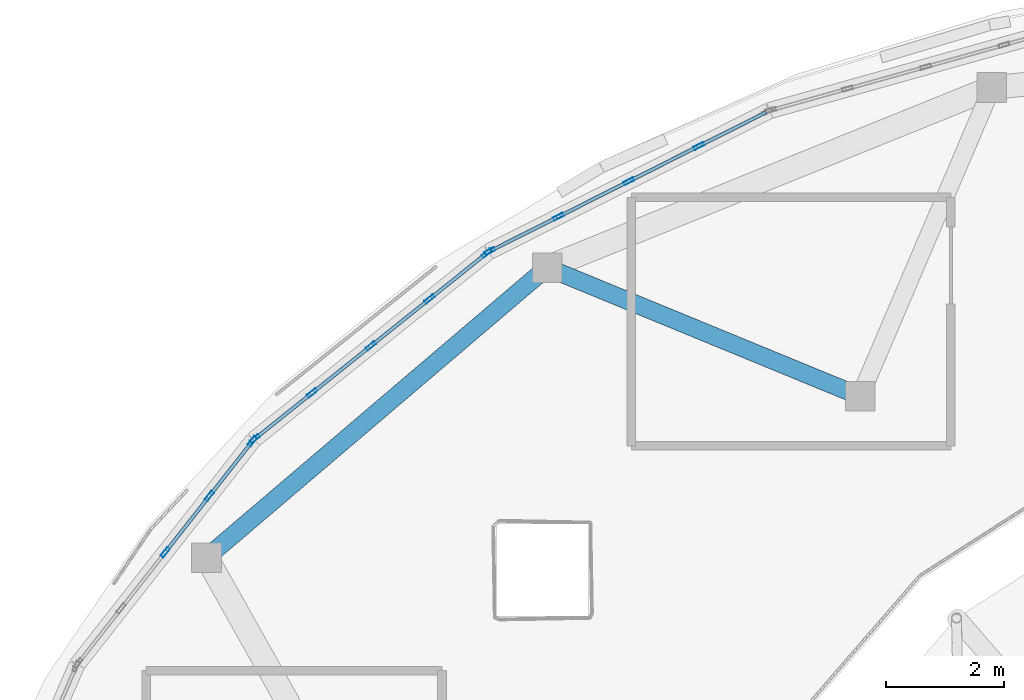
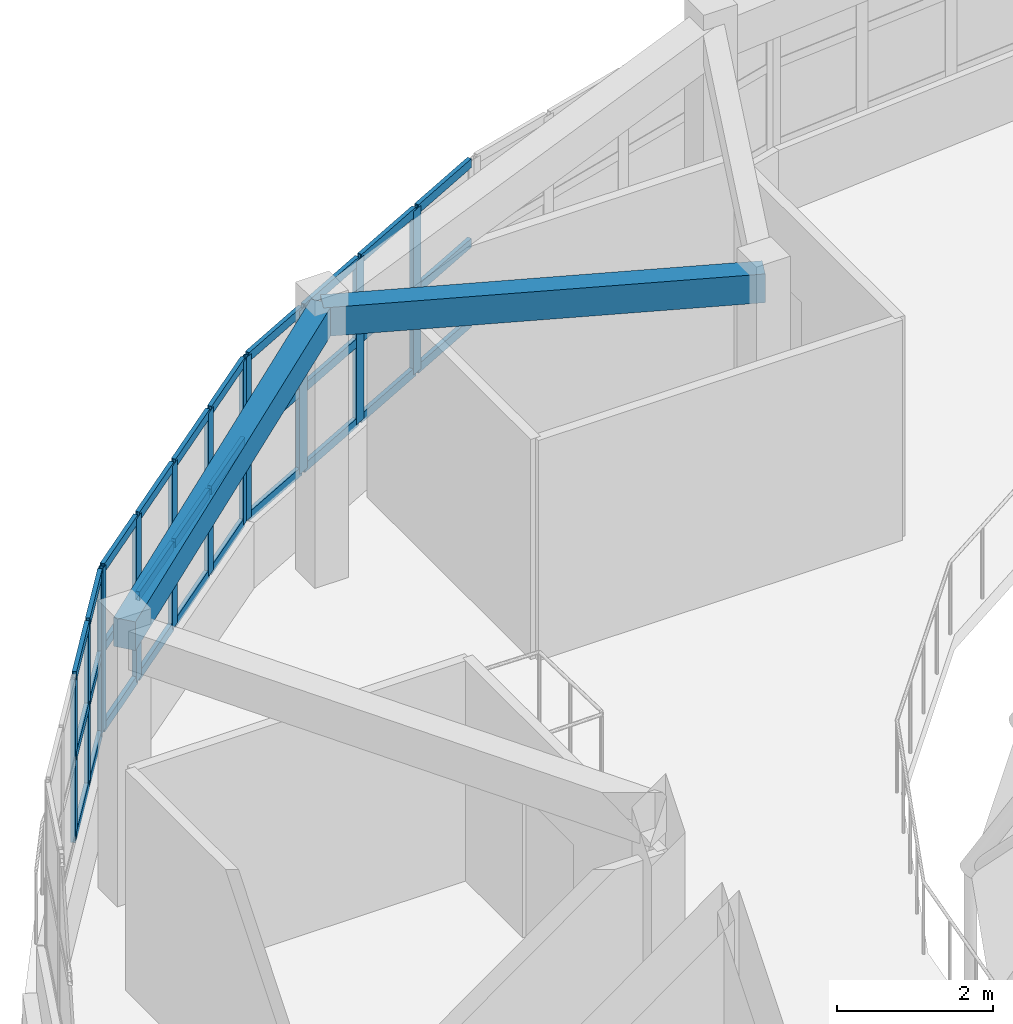
# One storey, part 21 of 38: 42 members, 2 beams, 3 elements without a shape of their own.
"""IFC4 building model written with IfcOpenShell, lengths in metres."""

from ifc_helpers import new_model, si_unit, direction, frame, origin, origin_2d, place, context, subcontext, project, spatial, rectangle, hollow_rectangle, extrude, material, layer, layer_set, material_profile, profile_set, type_object, element, aggregate, save


model = new_model("IFC4")

# Units and contexts
model_context = context("Model", 3, precision=1e-05, world=origin(), true_north=direction((0.0, 1.0)))
body_context = subcontext(model_context, "Body", "Model", "MODEL_VIEW")
ifc_project = project(units=[si_unit("LENGTHUNIT", "METRE"), si_unit("AREAUNIT", "SQUARE_METRE"), si_unit("VOLUMEUNIT", "CUBIC_METRE"), si_unit("PLANEANGLEUNIT", "RADIAN"), si_unit("MASSUNIT", "GRAM", prefix="KILO")], contexts=[model_context])

# Site, building, storey
site_placement = place(None, origin())
site = spatial("IfcSite", under=ifc_project, at=site_placement, CompositionType="ELEMENT")
building_placement = place(site_placement, origin())
building = spatial("IfcBuilding", under=site, at=building_placement, Name="Pelvatis Terrace Science Centre", CompositionType="ELEMENT")
storey_placement = place(building_placement, frame((0.0, 0.0, 24.300048828125)))
storey = spatial("IfcBuildingStorey", under=building, at=storey_placement, Name="L05", CompositionType="ELEMENT", Elevation=24.300048828125)

# Beams
ifc_material_1 = material(Name="Concrete C35/45", Category="concrete")
ifc_material_profile_1 = material_profile(ifc_material_1, rectangle(XDim=0.300048828125, YDim=0.449951171875, at=origin_2d()), Name="RC-BM 300x450")
ifc_profile_set_1 = profile_set([ifc_material_profile_1], Name="Concrete C35/45")
beam_type = type_object("IfcBeamType", Name="BM-RC-300x450", PredefinedType="BEAM", material=ifc_profile_set_1)
beam_1_placement = place(storey_placement, frame((94.575927734375, 100.61376953125, 4.034912109375), z_axis=(-0.761281604666, -0.64842140495, 0.0), x_axis=(0.64842140495, -0.761281604666, 0.0)))
element("IfcBeam", 1, at=beam_1_placement, inside=storey, type_object=beam_type, Name="Beam BM-L05-3128", PredefinedType="BEAM", context=body_context, shape_type="SweptSolid", body=[
    extrude(rectangle(XDim=0.300048828125, YDim=0.449951171875, at=origin_2d()), origin(), (0.0, 0.0, 1.0), 7.560546875),
])
beam_2_placement = place(storey_placement, frame((94.575927734375, 100.61376953125, 4.034912109375), z_axis=(0.924857425054, -0.380314006214, 0.0), x_axis=(0.380314006214, 0.924857425054, 0.0)))
element("IfcBeam", 2, at=beam_2_placement, inside=storey, type_object=beam_type, Name="Beam BM-L05-3129", PredefinedType="BEAM", context=body_context, shape_type="SweptSolid", body=[
    extrude(rectangle(XDim=0.300048828125, YDim=0.449951171875, at=origin_2d()), origin(), (0.0, 0.0, 1.0), 5.720458984375),
])

# Curtain wall, members
ifc_material_2 = material(Name="Bronze-anodised aluminium and laminated glass", Category="aluminium")
ifc_layer = layer(ifc_material_2, 0.179931640625)
ifc_layer_set = layer_set([ifc_layer], Name="Bronze-anodised aluminium and laminated glass")
curtain_wall_type = type_object("IfcCurtainWallType", Name="CW-RIBBON-A", PredefinedType="NOTDEFINED", material=ifc_layer_set)
curtain_wall_1_placement = place(storey_placement, origin())
curtain_wall_1 = element("IfcCurtainWall", 3, at=curtain_wall_1_placement, inside=storey, type_object=curtain_wall_type, Name="Ribbon curtain wall CW-246 (L05)", PredefinedType="NOTDEFINED")
ifc_material_3 = material(Name="Bronze-anodised aluminium 6063-T6", Category="aluminium")
ifc_material_profile_2 = material_profile(ifc_material_3, hollow_rectangle(XDim=0.06005859375, YDim=0.179931640625, WallThickness=0.00390625, at=origin_2d()), Name="ALU-MUL 60x180")
ifc_profile_set_2 = profile_set([ifc_material_profile_2], Name="Bronze-anodised aluminium 6063-T6")
member_type_1 = type_object("IfcMemberType", Name="CWM-60x180", PredefinedType="MULLION", material=ifc_profile_set_2)
member_1_placement = place(storey_placement, frame((97.143798828125, 102.667236328125, 1.02001953125), z_axis=(0.0, 0.0, 1.0), x_axis=(0.449303995918, -0.893378933741, 0.0)))
member_1 = element("IfcMember", 4, at=member_1_placement, type_object=member_type_1, Name="CW-246 mullion 2", PredefinedType="MULLION", context=body_context, shape_type="SweptSolid", body=[
    extrude(hollow_rectangle(XDim=0.06005859375, YDim=0.179931640625, WallThickness=0.00390625, at=origin_2d()), origin(), (0.0, 0.0, 1.0), 2.559814453125),
])
member_2_placement = place(storey_placement, frame((95.956298828125, 102.070068359375, 1.02001953125), z_axis=(0.0, 0.0, 1.0), x_axis=(0.449303995918, -0.893378933741, 0.0)))
member_2 = element("IfcMember", 5, at=member_2_placement, type_object=member_type_1, Name="CW-246 mullion 3", PredefinedType="MULLION", context=body_context, shape_type="SweptSolid", body=[
    extrude(hollow_rectangle(XDim=0.06005859375, YDim=0.179931640625, WallThickness=0.00390625, at=origin_2d()), origin(), (0.0, 0.0, 1.0), 2.559814453125),
])
member_3_placement = place(storey_placement, frame((94.76904296875, 101.472900390625, 1.02001953125), z_axis=(0.0, 0.0, 1.0), x_axis=(0.449303995918, -0.893378933741, 0.0)))
member_3 = element("IfcMember", 6, at=member_3_placement, type_object=member_type_1, Name="CW-246 mullion 4", PredefinedType="MULLION", context=body_context, shape_type="SweptSolid", body=[
    extrude(hollow_rectangle(XDim=0.06005859375, YDim=0.179931640625, WallThickness=0.00390625, at=origin_2d()), origin(), (0.0, 0.0, 1.0), 2.559814453125),
])
member_4_placement = place(storey_placement, frame((93.6083984375, 100.88916015625, 1.02001953125), z_axis=(0.0, 0.0, 1.0), x_axis=(0.449303995918, -0.893378933741, 0.0)))
member_4 = element("IfcMember", 7, at=member_4_placement, type_object=member_type_1, Name="CW-246 mullion 5", PredefinedType="MULLION", context=body_context, shape_type="SweptSolid", body=[
    extrude(hollow_rectangle(XDim=0.06005859375, YDim=0.179931640625, WallThickness=0.00390625, at=origin_2d()), origin(), (0.0, 0.0, 1.0), 2.559814453125),
])

curtain_wall_2_placement = place(storey_placement, origin())
curtain_wall_2 = element("IfcCurtainWall", 8, at=curtain_wall_2_placement, inside=storey, type_object=curtain_wall_type, Name="Ribbon curtain wall CW-247 (L05)", PredefinedType="NOTDEFINED")
member_5_placement = place(storey_placement, frame((93.55810546875, 100.85693359375, 1.02001953125), z_axis=(0.0, 0.0, 1.0), x_axis=(0.62487505806, -0.780724767005, 0.0)))
member_5 = element("IfcMember", 9, at=member_5_placement, type_object=member_type_1, Name="CW-247 mullion 1", PredefinedType="MULLION", context=body_context, shape_type="SweptSolid", body=[
    extrude(hollow_rectangle(XDim=0.06005859375, YDim=0.179931640625, WallThickness=0.00390625, at=origin_2d()), origin(), (0.0, 0.0, 1.0), 2.559814453125),
])
member_6_placement = place(storey_placement, frame((92.590087890625, 100.08203125, 1.02001953125), z_axis=(0.0, 0.0, 1.0), x_axis=(0.62487505806, -0.780724767005, 0.0)))
member_6 = element("IfcMember", 10, at=member_6_placement, type_object=member_type_1, Name="CW-247 mullion 2", PredefinedType="MULLION", context=body_context, shape_type="SweptSolid", body=[
    extrude(hollow_rectangle(XDim=0.06005859375, YDim=0.179931640625, WallThickness=0.00390625, at=origin_2d()), origin(), (0.0, 0.0, 1.0), 2.559814453125),
])
member_7_placement = place(storey_placement, frame((91.598388671875, 99.288330078125, 1.02001953125), z_axis=(0.0, 0.0, 1.0), x_axis=(0.62487505806, -0.780724767005, 0.0)))
member_7 = element("IfcMember", 11, at=member_7_placement, type_object=member_type_1, Name="CW-247 mullion 3", PredefinedType="MULLION", context=body_context, shape_type="SweptSolid", body=[
    extrude(hollow_rectangle(XDim=0.06005859375, YDim=0.179931640625, WallThickness=0.00390625, at=origin_2d()), origin(), (0.0, 0.0, 1.0), 2.559814453125),
])
member_8_placement = place(storey_placement, frame((90.606689453125, 98.49462890625, 1.02001953125), z_axis=(0.0, 0.0, 1.0), x_axis=(0.62487505806, -0.780724767005, 0.0)))
member_8 = element("IfcMember", 12, at=member_8_placement, type_object=member_type_1, Name="CW-247 mullion 4", PredefinedType="MULLION", context=body_context, shape_type="SweptSolid", body=[
    extrude(hollow_rectangle(XDim=0.06005859375, YDim=0.179931640625, WallThickness=0.00390625, at=origin_2d()), origin(), (0.0, 0.0, 1.0), 2.559814453125),
])
member_9_placement = place(storey_placement, frame((89.638427734375, 97.7197265625, 1.02001953125), z_axis=(0.0, 0.0, 1.0), x_axis=(0.62487505806, -0.780724767005, 0.0)))
member_9 = element("IfcMember", 13, at=member_9_placement, type_object=member_type_1, Name="CW-247 mullion 5", PredefinedType="MULLION", context=body_context, shape_type="SweptSolid", body=[
    extrude(hollow_rectangle(XDim=0.06005859375, YDim=0.179931640625, WallThickness=0.00390625, at=origin_2d()), origin(), (0.0, 0.0, 1.0), 2.559814453125),
])

curtain_wall_3_placement = place(storey_placement, origin())
curtain_wall_3 = element("IfcCurtainWall", 14, at=curtain_wall_3_placement, inside=storey, type_object=curtain_wall_type, Name="Ribbon curtain wall CW-248 (L05)", PredefinedType="NOTDEFINED")
member_10_placement = place(storey_placement, frame((89.5966796875, 97.677490234375, 1.02001953125), z_axis=(0.0, 0.0, 1.0), x_axis=(0.786576740286, -0.617492535697, 0.0)))
member_10 = element("IfcMember", 15, at=member_10_placement, type_object=member_type_1, Name="CW-248 mullion 1", PredefinedType="MULLION", context=body_context, shape_type="SweptSolid", body=[
    extrude(hollow_rectangle(XDim=0.06005859375, YDim=0.179931640625, WallThickness=0.00390625, at=origin_2d()), origin(), (0.0, 0.0, 1.0), 2.559814453125),
])
member_11_placement = place(storey_placement, frame((88.868896484375, 96.75048828125, 1.02001953125), z_axis=(0.0, 0.0, 1.0), x_axis=(0.786576740286, -0.617492535697, 0.0)))
member_11 = element("IfcMember", 16, at=member_11_placement, type_object=member_type_1, Name="CW-248 mullion 2", PredefinedType="MULLION", context=body_context, shape_type="SweptSolid", body=[
    extrude(hollow_rectangle(XDim=0.06005859375, YDim=0.179931640625, WallThickness=0.00390625, at=origin_2d()), origin(), (0.0, 0.0, 1.0), 2.559814453125),
])
member_12_placement = place(storey_placement, frame((88.122802734375, 95.80029296875, 1.02001953125), z_axis=(0.0, 0.0, 1.0), x_axis=(0.786576740286, -0.617492535697, 0.0)))
member_12 = element("IfcMember", 17, at=member_12_placement, type_object=member_type_1, Name="CW-248 mullion 3", PredefinedType="MULLION", context=body_context, shape_type="SweptSolid", body=[
    extrude(hollow_rectangle(XDim=0.06005859375, YDim=0.179931640625, WallThickness=0.00390625, at=origin_2d()), origin(), (0.0, 0.0, 1.0), 2.559814453125),
])

# Member
ifc_material_4 = material(Name="Bronze-anodised aluminium 6063-T6", Category="aluminium")
ifc_material_profile_3 = material_profile(ifc_material_4, hollow_rectangle(XDim=0.06005859375, YDim=0.139892578125, WallThickness=0.00390625, at=origin_2d()), Name="ALU-TRN 60x140")
ifc_profile_set_3 = profile_set([ifc_material_profile_3], Name="Bronze-anodised aluminium 6063-T6")
member_type_2 = type_object("IfcMemberType", Name="CWT-60x140", PredefinedType="USERDEFINED", material=ifc_profile_set_3)
member_13_placement = place(storey_placement, frame((98.277587890625, 103.237548828125, 1.050048828125), z_axis=(-0.893321116775, -0.449418938545, 0.0), x_axis=(0.449418938545, -0.893321116775, 0.0)))
member_13 = element("IfcMember", 18, at=member_13_placement, type_object=member_type_2, Name="CW-246 transom 1.1", ObjectType="TRANSOM", PredefinedType="USERDEFINED", context=body_context, shape_type="SweptSolid", body=[
    extrude(hollow_rectangle(XDim=0.06005859375, YDim=0.139892578125, WallThickness=0.00390625, at=origin_2d()), origin(), (0.0, 0.0, 1.0), 1.239013671875),
])

member_14_placement = place(storey_placement, frame((98.277587890625, 103.237548828125, 2.300048828125), z_axis=(-0.893321116775, -0.449418938545, 0.0), x_axis=(0.449418938545, -0.893321116775, 0.0)))
member_14 = element("IfcMember", 19, at=member_14_placement, type_object=member_type_2, Name="CW-246 transom 1.2", ObjectType="TRANSOM", PredefinedType="USERDEFINED", context=body_context, shape_type="SweptSolid", body=[
    extrude(hollow_rectangle(XDim=0.06005859375, YDim=0.139892578125, WallThickness=0.00390625, at=origin_2d()), origin(), (0.0, 0.0, 1.0), 1.239013671875),
])

member_15_placement = place(storey_placement, frame((98.277587890625, 103.237548828125, 3.550048828125), z_axis=(-0.893321116775, -0.449418938545, 0.0), x_axis=(0.449418938545, -0.893321116775, 0.0)))
member_15 = element("IfcMember", 20, at=member_15_placement, type_object=member_type_2, Name="CW-246 transom 1.3", ObjectType="TRANSOM", PredefinedType="USERDEFINED", context=body_context, shape_type="SweptSolid", body=[
    extrude(hollow_rectangle(XDim=0.06005859375, YDim=0.139892578125, WallThickness=0.00390625, at=origin_2d()), origin(), (0.0, 0.0, 1.0), 1.239013671875),
])

member_16_placement = place(storey_placement, frame((97.116943359375, 102.65380859375, 1.050048828125), z_axis=(-0.893347346946, -0.449366796397, 0.0), x_axis=(0.449366796397, -0.893347346946, 0.0)))
member_16 = element("IfcMember", 21, at=member_16_placement, type_object=member_type_2, Name="CW-246 transom 2.1", ObjectType="TRANSOM", PredefinedType="USERDEFINED", context=body_context, shape_type="SweptSolid", body=[
    extrude(hollow_rectangle(XDim=0.06005859375, YDim=0.139892578125, WallThickness=0.00390625, at=origin_2d()), origin(), (0.0, 0.0, 1.0), 1.26904296875),
])

member_17_placement = place(storey_placement, frame((97.116943359375, 102.65380859375, 2.300048828125), z_axis=(-0.893347346946, -0.449366796397, 0.0), x_axis=(0.449366796397, -0.893347346946, 0.0)))
member_17 = element("IfcMember", 22, at=member_17_placement, type_object=member_type_2, Name="CW-246 transom 2.2", ObjectType="TRANSOM", PredefinedType="USERDEFINED", context=body_context, shape_type="SweptSolid", body=[
    extrude(hollow_rectangle(XDim=0.06005859375, YDim=0.139892578125, WallThickness=0.00390625, at=origin_2d()), origin(), (0.0, 0.0, 1.0), 1.26904296875),
])

member_18_placement = place(storey_placement, frame((97.116943359375, 102.65380859375, 3.550048828125), z_axis=(-0.893347346946, -0.449366796397, 0.0), x_axis=(0.449366796397, -0.893347346946, 0.0)))
member_18 = element("IfcMember", 23, at=member_18_placement, type_object=member_type_2, Name="CW-246 transom 2.3", ObjectType="TRANSOM", PredefinedType="USERDEFINED", context=body_context, shape_type="SweptSolid", body=[
    extrude(hollow_rectangle(XDim=0.06005859375, YDim=0.139892578125, WallThickness=0.00390625, at=origin_2d()), origin(), (0.0, 0.0, 1.0), 1.26904296875),
])

member_19_placement = place(storey_placement, frame((95.9296875, 102.056640625, 1.050048828125), z_axis=(-0.893347346946, -0.449366796397, 0.0), x_axis=(0.449366796397, -0.893347346946, 0.0)))
member_19 = element("IfcMember", 24, at=member_19_placement, type_object=member_type_2, Name="CW-246 transom 3.1", ObjectType="TRANSOM", PredefinedType="USERDEFINED", context=body_context, shape_type="SweptSolid", body=[
    extrude(hollow_rectangle(XDim=0.06005859375, YDim=0.139892578125, WallThickness=0.00390625, at=origin_2d()), origin(), (0.0, 0.0, 1.0), 1.26904296875),
])

member_20_placement = place(storey_placement, frame((95.9296875, 102.056640625, 2.300048828125), z_axis=(-0.893347346946, -0.449366796397, 0.0), x_axis=(0.449366796397, -0.893347346946, 0.0)))
member_20 = element("IfcMember", 25, at=member_20_placement, type_object=member_type_2, Name="CW-246 transom 3.2", ObjectType="TRANSOM", PredefinedType="USERDEFINED", context=body_context, shape_type="SweptSolid", body=[
    extrude(hollow_rectangle(XDim=0.06005859375, YDim=0.139892578125, WallThickness=0.00390625, at=origin_2d()), origin(), (0.0, 0.0, 1.0), 1.26904296875),
])

member_21_placement = place(storey_placement, frame((95.9296875, 102.056640625, 3.550048828125), z_axis=(-0.893347346946, -0.449366796397, 0.0), x_axis=(0.449366796397, -0.893347346946, 0.0)))
member_21 = element("IfcMember", 26, at=member_21_placement, type_object=member_type_2, Name="CW-246 transom 3.3", ObjectType="TRANSOM", PredefinedType="USERDEFINED", context=body_context, shape_type="SweptSolid", body=[
    extrude(hollow_rectangle(XDim=0.06005859375, YDim=0.139892578125, WallThickness=0.00390625, at=origin_2d()), origin(), (0.0, 0.0, 1.0), 1.26904296875),
])

member_22_placement = place(storey_placement, frame((94.7421875, 101.45947265625, 1.050048828125), z_axis=(-0.893321116775, -0.449418938545, 0.0), x_axis=(0.449418938545, -0.893321116775, 0.0)))
member_22 = element("IfcMember", 27, at=member_22_placement, type_object=member_type_2, Name="CW-246 transom 4.1", ObjectType="TRANSOM", PredefinedType="USERDEFINED", context=body_context, shape_type="SweptSolid", body=[
    extrude(hollow_rectangle(XDim=0.06005859375, YDim=0.139892578125, WallThickness=0.00390625, at=origin_2d()), origin(), (0.0, 0.0, 1.0), 1.239013671875),
])

member_23_placement = place(storey_placement, frame((94.7421875, 101.45947265625, 2.300048828125), z_axis=(-0.893321116775, -0.449418938545, 0.0), x_axis=(0.449418938545, -0.893321116775, 0.0)))
member_23 = element("IfcMember", 28, at=member_23_placement, type_object=member_type_2, Name="CW-246 transom 4.2", ObjectType="TRANSOM", PredefinedType="USERDEFINED", context=body_context, shape_type="SweptSolid", body=[
    extrude(hollow_rectangle(XDim=0.06005859375, YDim=0.139892578125, WallThickness=0.00390625, at=origin_2d()), origin(), (0.0, 0.0, 1.0), 1.239013671875),
])

member_24_placement = place(storey_placement, frame((94.7421875, 101.45947265625, 3.550048828125), z_axis=(-0.893321116775, -0.449418938545, 0.0), x_axis=(0.449418938545, -0.893321116775, 0.0)))
member_24 = element("IfcMember", 29, at=member_24_placement, type_object=member_type_2, Name="CW-246 transom 4.3", ObjectType="TRANSOM", PredefinedType="USERDEFINED", context=body_context, shape_type="SweptSolid", body=[
    extrude(hollow_rectangle(XDim=0.06005859375, YDim=0.139892578125, WallThickness=0.00390625, at=origin_2d()), origin(), (0.0, 0.0, 1.0), 1.239013671875),
])

aggregate(curtain_wall_1, [member_1, member_2, member_3, member_4, member_13, member_14, member_15, member_16, member_17, member_18, member_19, member_20, member_21, member_22, member_23, member_24])

member_25_placement = place(storey_placement, frame((93.53466796875, 100.838134765625, 1.050048828125), z_axis=(-0.78078806689, -0.624795962376, 0.0), x_axis=(0.624795962376, -0.78078806689, 0.0)))
member_25 = element("IfcMember", 30, at=member_25_placement, type_object=member_type_2, Name="CW-247 transom 1.1", ObjectType="TRANSOM", PredefinedType="USERDEFINED", context=body_context, shape_type="SweptSolid", body=[
    extrude(hollow_rectangle(XDim=0.06005859375, YDim=0.139892578125, WallThickness=0.00390625, at=origin_2d()), origin(), (0.0, 0.0, 1.0), 1.18017578125),
])

member_26_placement = place(storey_placement, frame((93.53466796875, 100.838134765625, 2.300048828125), z_axis=(-0.78078806689, -0.624795962376, 0.0), x_axis=(0.624795962376, -0.78078806689, 0.0)))
member_26 = element("IfcMember", 31, at=member_26_placement, type_object=member_type_2, Name="CW-247 transom 1.2", ObjectType="TRANSOM", PredefinedType="USERDEFINED", context=body_context, shape_type="SweptSolid", body=[
    extrude(hollow_rectangle(XDim=0.06005859375, YDim=0.139892578125, WallThickness=0.00390625, at=origin_2d()), origin(), (0.0, 0.0, 1.0), 1.18017578125),
])

member_27_placement = place(storey_placement, frame((93.53466796875, 100.838134765625, 3.550048828125), z_axis=(-0.78078806689, -0.624795962376, 0.0), x_axis=(0.624795962376, -0.78078806689, 0.0)))
member_27 = element("IfcMember", 32, at=member_27_placement, type_object=member_type_2, Name="CW-247 transom 1.3", ObjectType="TRANSOM", PredefinedType="USERDEFINED", context=body_context, shape_type="SweptSolid", body=[
    extrude(hollow_rectangle(XDim=0.06005859375, YDim=0.139892578125, WallThickness=0.00390625, at=origin_2d()), origin(), (0.0, 0.0, 1.0), 1.18017578125),
])

member_28_placement = place(storey_placement, frame((92.566650390625, 100.063232421875, 1.050048828125), z_axis=(-0.780770385385, -0.624818057762, 0.0), x_axis=(0.624818057762, -0.780770385385, 0.0)))
member_28 = element("IfcMember", 33, at=member_28_placement, type_object=member_type_2, Name="CW-247 transom 2.1", ObjectType="TRANSOM", PredefinedType="USERDEFINED", context=body_context, shape_type="SweptSolid", body=[
    extrude(hollow_rectangle(XDim=0.06005859375, YDim=0.139892578125, WallThickness=0.00390625, at=origin_2d()), origin(), (0.0, 0.0, 1.0), 1.210205078125),
])

member_29_placement = place(storey_placement, frame((92.566650390625, 100.063232421875, 2.300048828125), z_axis=(-0.780770385385, -0.624818057762, 0.0), x_axis=(0.624818057762, -0.780770385385, 0.0)))
member_29 = element("IfcMember", 34, at=member_29_placement, type_object=member_type_2, Name="CW-247 transom 2.2", ObjectType="TRANSOM", PredefinedType="USERDEFINED", context=body_context, shape_type="SweptSolid", body=[
    extrude(hollow_rectangle(XDim=0.06005859375, YDim=0.139892578125, WallThickness=0.00390625, at=origin_2d()), origin(), (0.0, 0.0, 1.0), 1.210205078125),
])

member_30_placement = place(storey_placement, frame((92.566650390625, 100.063232421875, 3.550048828125), z_axis=(-0.780770385385, -0.624818057762, 0.0), x_axis=(0.624818057762, -0.780770385385, 0.0)))
member_30 = element("IfcMember", 35, at=member_30_placement, type_object=member_type_2, Name="CW-247 transom 2.3", ObjectType="TRANSOM", PredefinedType="USERDEFINED", context=body_context, shape_type="SweptSolid", body=[
    extrude(hollow_rectangle(XDim=0.06005859375, YDim=0.139892578125, WallThickness=0.00390625, at=origin_2d()), origin(), (0.0, 0.0, 1.0), 1.210205078125),
])

member_31_placement = place(storey_placement, frame((91.574951171875, 99.26953125, 1.050048828125), z_axis=(-0.780770385385, -0.624818057762, 0.0), x_axis=(0.624818057762, -0.780770385385, 0.0)))
member_31 = element("IfcMember", 36, at=member_31_placement, type_object=member_type_2, Name="CW-247 transom 3.1", ObjectType="TRANSOM", PredefinedType="USERDEFINED", context=body_context, shape_type="SweptSolid", body=[
    extrude(hollow_rectangle(XDim=0.06005859375, YDim=0.139892578125, WallThickness=0.00390625, at=origin_2d()), origin(), (0.0, 0.0, 1.0), 1.210205078125),
])

member_32_placement = place(storey_placement, frame((91.574951171875, 99.26953125, 2.300048828125), z_axis=(-0.780770385385, -0.624818057762, 0.0), x_axis=(0.624818057762, -0.780770385385, 0.0)))
member_32 = element("IfcMember", 37, at=member_32_placement, type_object=member_type_2, Name="CW-247 transom 3.2", ObjectType="TRANSOM", PredefinedType="USERDEFINED", context=body_context, shape_type="SweptSolid", body=[
    extrude(hollow_rectangle(XDim=0.06005859375, YDim=0.139892578125, WallThickness=0.00390625, at=origin_2d()), origin(), (0.0, 0.0, 1.0), 1.210205078125),
])

member_33_placement = place(storey_placement, frame((91.574951171875, 99.26953125, 3.550048828125), z_axis=(-0.780770385385, -0.624818057762, 0.0), x_axis=(0.624818057762, -0.780770385385, 0.0)))
member_33 = element("IfcMember", 38, at=member_33_placement, type_object=member_type_2, Name="CW-247 transom 3.3", ObjectType="TRANSOM", PredefinedType="USERDEFINED", context=body_context, shape_type="SweptSolid", body=[
    extrude(hollow_rectangle(XDim=0.06005859375, YDim=0.139892578125, WallThickness=0.00390625, at=origin_2d()), origin(), (0.0, 0.0, 1.0), 1.210205078125),
])

member_34_placement = place(storey_placement, frame((90.583251953125, 98.475830078125, 1.050048828125), z_axis=(-0.78078806689, -0.624795962376, 0.0), x_axis=(0.624795962376, -0.78078806689, 0.0)))
member_34 = element("IfcMember", 39, at=member_34_placement, type_object=member_type_2, Name="CW-247 transom 4.1", ObjectType="TRANSOM", PredefinedType="USERDEFINED", context=body_context, shape_type="SweptSolid", body=[
    extrude(hollow_rectangle(XDim=0.06005859375, YDim=0.139892578125, WallThickness=0.00390625, at=origin_2d()), origin(), (0.0, 0.0, 1.0), 1.18017578125),
])

member_35_placement = place(storey_placement, frame((90.583251953125, 98.475830078125, 2.300048828125), z_axis=(-0.78078806689, -0.624795962376, 0.0), x_axis=(0.624795962376, -0.78078806689, 0.0)))
member_35 = element("IfcMember", 40, at=member_35_placement, type_object=member_type_2, Name="CW-247 transom 4.2", ObjectType="TRANSOM", PredefinedType="USERDEFINED", context=body_context, shape_type="SweptSolid", body=[
    extrude(hollow_rectangle(XDim=0.06005859375, YDim=0.139892578125, WallThickness=0.00390625, at=origin_2d()), origin(), (0.0, 0.0, 1.0), 1.18017578125),
])

member_36_placement = place(storey_placement, frame((90.583251953125, 98.475830078125, 3.550048828125), z_axis=(-0.78078806689, -0.624795962376, 0.0), x_axis=(0.624795962376, -0.78078806689, 0.0)))
member_36 = element("IfcMember", 41, at=member_36_placement, type_object=member_type_2, Name="CW-247 transom 4.3", ObjectType="TRANSOM", PredefinedType="USERDEFINED", context=body_context, shape_type="SweptSolid", body=[
    extrude(hollow_rectangle(XDim=0.06005859375, YDim=0.139892578125, WallThickness=0.00390625, at=origin_2d()), origin(), (0.0, 0.0, 1.0), 1.18017578125),
])

aggregate(curtain_wall_2, [member_5, member_6, member_7, member_8, member_9, member_25, member_26, member_27, member_28, member_29, member_30, member_31, member_32, member_33, member_34, member_35, member_36])

member_37_placement = place(storey_placement, frame((89.578125, 97.65380859375, 1.050048828125), z_axis=(-0.617561214822, -0.786522819725, 0.0), x_axis=(0.786522819725, -0.617561214822, 0.0)))
member_37 = element("IfcMember", 42, at=member_37_placement, type_object=member_type_2, Name="CW-248 transom 1.1", ObjectType="TRANSOM", PredefinedType="USERDEFINED", context=body_context, shape_type="SweptSolid", body=[
    extrude(hollow_rectangle(XDim=0.06005859375, YDim=0.139892578125, WallThickness=0.00390625, at=origin_2d()), origin(), (0.0, 0.0, 1.0), 1.118408203125),
])

member_38_placement = place(storey_placement, frame((89.578125, 97.65380859375, 2.300048828125), z_axis=(-0.617561214822, -0.786522819725, 0.0), x_axis=(0.786522819725, -0.617561214822, 0.0)))
member_38 = element("IfcMember", 43, at=member_38_placement, type_object=member_type_2, Name="CW-248 transom 1.2", ObjectType="TRANSOM", PredefinedType="USERDEFINED", context=body_context, shape_type="SweptSolid", body=[
    extrude(hollow_rectangle(XDim=0.06005859375, YDim=0.139892578125, WallThickness=0.00390625, at=origin_2d()), origin(), (0.0, 0.0, 1.0), 1.118408203125),
])

member_39_placement = place(storey_placement, frame((89.578125, 97.65380859375, 3.550048828125), z_axis=(-0.617561214822, -0.786522819725, 0.0), x_axis=(0.786522819725, -0.617561214822, 0.0)))
member_39 = element("IfcMember", 44, at=member_39_placement, type_object=member_type_2, Name="CW-248 transom 1.3", ObjectType="TRANSOM", PredefinedType="USERDEFINED", context=body_context, shape_type="SweptSolid", body=[
    extrude(hollow_rectangle(XDim=0.06005859375, YDim=0.139892578125, WallThickness=0.00390625, at=origin_2d()), origin(), (0.0, 0.0, 1.0), 1.118408203125),
])

member_40_placement = place(storey_placement, frame((88.8505859375, 96.72705078125, 1.050048828125), z_axis=(-0.617539862862, -0.786539584367, 0.0), x_axis=(0.786539584367, -0.617539862862, 0.0)))
member_40 = element("IfcMember", 45, at=member_40_placement, type_object=member_type_2, Name="CW-248 transom 2.1", ObjectType="TRANSOM", PredefinedType="USERDEFINED", context=body_context, shape_type="SweptSolid", body=[
    extrude(hollow_rectangle(XDim=0.06005859375, YDim=0.139892578125, WallThickness=0.00390625, at=origin_2d()), origin(), (0.0, 0.0, 1.0), 1.1484375),
])

member_41_placement = place(storey_placement, frame((88.8505859375, 96.72705078125, 2.300048828125), z_axis=(-0.617539862862, -0.786539584367, 0.0), x_axis=(0.786539584367, -0.617539862862, 0.0)))
member_41 = element("IfcMember", 46, at=member_41_placement, type_object=member_type_2, Name="CW-248 transom 2.2", ObjectType="TRANSOM", PredefinedType="USERDEFINED", context=body_context, shape_type="SweptSolid", body=[
    extrude(hollow_rectangle(XDim=0.06005859375, YDim=0.139892578125, WallThickness=0.00390625, at=origin_2d()), origin(), (0.0, 0.0, 1.0), 1.1484375),
])

member_42_placement = place(storey_placement, frame((88.8505859375, 96.72705078125, 3.550048828125), z_axis=(-0.617539862862, -0.786539584367, 0.0), x_axis=(0.786539584367, -0.617539862862, 0.0)))
member_42 = element("IfcMember", 47, at=member_42_placement, type_object=member_type_2, Name="CW-248 transom 2.3", ObjectType="TRANSOM", PredefinedType="USERDEFINED", context=body_context, shape_type="SweptSolid", body=[
    extrude(hollow_rectangle(XDim=0.06005859375, YDim=0.139892578125, WallThickness=0.00390625, at=origin_2d()), origin(), (0.0, 0.0, 1.0), 1.1484375),
])

aggregate(curtain_wall_3, [member_10, member_11, member_12, member_37, member_38, member_39, member_40, member_41, member_42])

save(model, "model.ifc")
